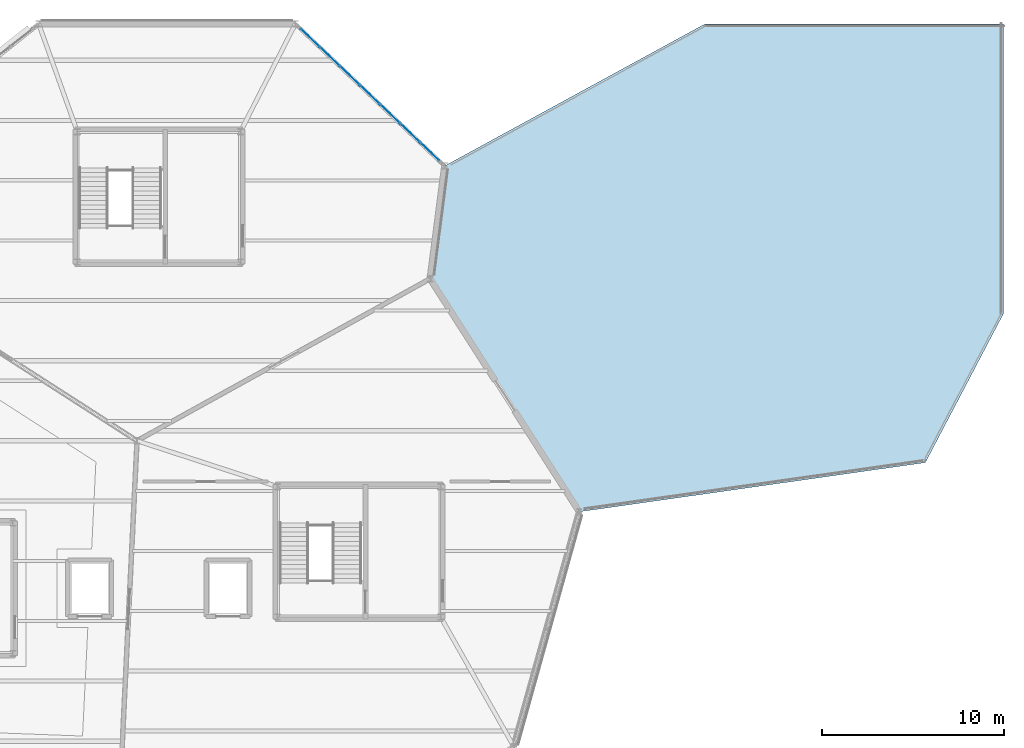
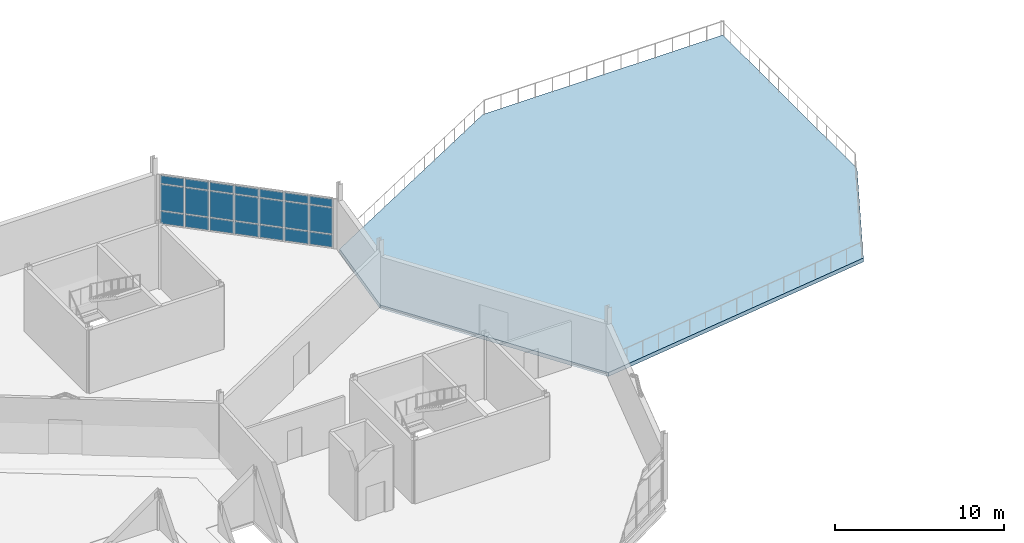
# One storey, part 55 of 76: 21 plates, 1 slab, 1 element without a shape of its own.
"""IFC4 building model written with IfcOpenShell, lengths in metres."""

from ifc_helpers import new_model, si_unit, direction, frame, origin, origin_2d, place, context, subcontext, project, spatial, polyline, rectangle, outline, extrude, material, layer, layer_set, type_object, element, aggregate, save


model = new_model("IFC4")

# Units and contexts
model_context = context("Model", 3, precision=1e-05, world=origin(), true_north=direction((0.0, 1.0)))
body_context = subcontext(model_context, "Body", "Model", "MODEL_VIEW")
ifc_project = project(units=[si_unit("LENGTHUNIT", "METRE"), si_unit("AREAUNIT", "SQUARE_METRE"), si_unit("VOLUMEUNIT", "CUBIC_METRE"), si_unit("PLANEANGLEUNIT", "RADIAN"), si_unit("MASSUNIT", "GRAM", prefix="KILO")], contexts=[model_context])

# Site, building, storey
site_placement = place(None, origin())
site = spatial("IfcSite", under=ifc_project, at=site_placement, CompositionType="ELEMENT")
building_placement = place(site_placement, origin())
building = spatial("IfcBuilding", under=site, at=building_placement, Name="Tameran Prism Museum", CompositionType="ELEMENT")
storey_placement = place(building_placement, frame((0.0, 0.0, 15.0)))
storey = spatial("IfcBuildingStorey", under=building, at=storey_placement, Name="L03", CompositionType="ELEMENT", Elevation=15.0)

# Curtain wall, plates
ifc_material_1 = material(Name="Anodised Aluminium 6063-T6 and Cyclone Solar Glass", Category="aluminium")
curtain_wall_type = type_object("IfcCurtainWallType", Name="CW-FAC-1062x362", PredefinedType="USERDEFINED", material=ifc_material_1)
curtain_wall_placement = place(storey_placement, origin())
curtain_wall = element("IfcCurtainWall", 1, at=curtain_wall_placement, inside=storey, type_object=curtain_wall_type, Name="Unitised Curtain Wall CW-132", ObjectType="UNITISED CURTAIN WALL", PredefinedType="USERDEFINED")
ifc_material_2 = material(Name="Cyclone Laminated Solar Glass", Category="glass")
ifc_layer_1 = layer(ifc_material_2, 0.031982421875)
ifc_layer_set_1 = layer_set([ifc_layer_1])
plate_type = type_object("IfcPlateType", Name="CW-PNL-G32", PredefinedType="CURTAIN_PANEL", material=ifc_layer_set_1)
plate_1_placement = place(storey_placement, frame((128.316162109375, 111.22412109375, 0.070068359375), z_axis=(0.0, 0.0, 1.0), x_axis=(0.724500698692, -0.689274065662, 0.0)))
plate_1 = element("IfcPlate", 2, at=plate_1_placement, type_object=plate_type, Name="CW-132 panel 1.1", PredefinedType="CURTAIN_PANEL", context=body_context, shape_type="SweptSolid", body=[
    extrude(rectangle(XDim=1.41162109375, YDim=0.031982421875, at=origin_2d()), origin(), (0.0, 0.0, 1.0), 0.89501953125),
])
plate_2_placement = place(storey_placement, frame((128.316162109375, 111.22412109375, 1.034912109375), z_axis=(0.0, 0.0, 1.0), x_axis=(0.724500698692, -0.689274065662, 0.0)))
plate_2 = element("IfcPlate", 3, at=plate_2_placement, type_object=plate_type, Name="CW-132 panel 1.2", PredefinedType="CURTAIN_PANEL", context=body_context, shape_type="SweptSolid", body=[
    extrude(rectangle(XDim=1.41162109375, YDim=0.031982421875, at=origin_2d()), origin(), (0.0, 0.0, 1.0), 1.8701171875),
])
plate_3_placement = place(storey_placement, frame((128.316162109375, 111.22412109375, 2.97509765625), z_axis=(0.0, 0.0, 1.0), x_axis=(0.724500698692, -0.689274065662, 0.0)))
plate_3 = element("IfcPlate", 4, at=plate_3_placement, type_object=plate_type, Name="CW-132 panel 1.3", PredefinedType="CURTAIN_PANEL", context=body_context, shape_type="SweptSolid", body=[
    extrude(rectangle(XDim=1.41162109375, YDim=0.031982421875, at=origin_2d()), origin(), (0.0, 0.0, 1.0), 0.574951171875),
])
plate_4_placement = place(storey_placement, frame((129.40234375, 110.19091796875, 0.070068359375), z_axis=(0.0, 0.0, 1.0), x_axis=(0.724500698692, -0.689274065662, 0.0)))
plate_4 = element("IfcPlate", 5, at=plate_4_placement, type_object=plate_type, Name="CW-132 panel 2.1", PredefinedType="CURTAIN_PANEL", context=body_context, shape_type="SweptSolid", body=[
    extrude(rectangle(XDim=1.44677734375, YDim=0.031982421875, at=origin_2d()), origin(), (0.0, 0.0, 1.0), 0.89501953125),
])
plate_5_placement = place(storey_placement, frame((129.40234375, 110.19091796875, 1.034912109375), z_axis=(0.0, 0.0, 1.0), x_axis=(0.724500698692, -0.689274065662, 0.0)))
plate_5 = element("IfcPlate", 6, at=plate_5_placement, type_object=plate_type, Name="CW-132 panel 2.2", PredefinedType="CURTAIN_PANEL", context=body_context, shape_type="SweptSolid", body=[
    extrude(rectangle(XDim=1.44677734375, YDim=0.031982421875, at=origin_2d()), origin(), (0.0, 0.0, 1.0), 1.8701171875),
])
plate_6_placement = place(storey_placement, frame((129.40234375, 110.19091796875, 2.97509765625), z_axis=(0.0, 0.0, 1.0), x_axis=(0.724500698692, -0.689274065662, 0.0)))
plate_6 = element("IfcPlate", 7, at=plate_6_placement, type_object=plate_type, Name="CW-132 panel 2.3", PredefinedType="CURTAIN_PANEL", context=body_context, shape_type="SweptSolid", body=[
    extrude(rectangle(XDim=1.44677734375, YDim=0.031982421875, at=origin_2d()), origin(), (0.0, 0.0, 1.0), 0.574951171875),
])
plate_7_placement = place(storey_placement, frame((130.501220703125, 109.1455078125, 0.070068359375), z_axis=(0.0, 0.0, 1.0), x_axis=(0.724500698692, -0.689274065662, 0.0)))
plate_7 = element("IfcPlate", 8, at=plate_7_placement, type_object=plate_type, Name="CW-132 panel 3.1", PredefinedType="CURTAIN_PANEL", context=body_context, shape_type="SweptSolid", body=[
    extrude(rectangle(XDim=1.44677734375, YDim=0.031982421875, at=origin_2d()), origin(), (0.0, 0.0, 1.0), 0.89501953125),
])
plate_8_placement = place(storey_placement, frame((130.501220703125, 109.1455078125, 1.034912109375), z_axis=(0.0, 0.0, 1.0), x_axis=(0.724500698692, -0.689274065662, 0.0)))
plate_8 = element("IfcPlate", 9, at=plate_8_placement, type_object=plate_type, Name="CW-132 panel 3.2", PredefinedType="CURTAIN_PANEL", context=body_context, shape_type="SweptSolid", body=[
    extrude(rectangle(XDim=1.44677734375, YDim=0.031982421875, at=origin_2d()), origin(), (0.0, 0.0, 1.0), 1.8701171875),
])
plate_9_placement = place(storey_placement, frame((130.501220703125, 109.1455078125, 2.97509765625), z_axis=(0.0, 0.0, 1.0), x_axis=(0.724500698692, -0.689274065662, 0.0)))
plate_9 = element("IfcPlate", 10, at=plate_9_placement, type_object=plate_type, Name="CW-132 panel 3.3", PredefinedType="CURTAIN_PANEL", context=body_context, shape_type="SweptSolid", body=[
    extrude(rectangle(XDim=1.44677734375, YDim=0.031982421875, at=origin_2d()), origin(), (0.0, 0.0, 1.0), 0.574951171875),
])
plate_10_placement = place(storey_placement, frame((131.60009765625, 108.10009765625, 0.070068359375), z_axis=(0.0, 0.0, 1.0), x_axis=(0.724500698692, -0.689274065662, 0.0)))
plate_10 = element("IfcPlate", 11, at=plate_10_placement, type_object=plate_type, Name="CW-132 panel 4.1", PredefinedType="CURTAIN_PANEL", context=body_context, shape_type="SweptSolid", body=[
    extrude(rectangle(XDim=1.44677734375, YDim=0.031982421875, at=origin_2d()), origin(), (0.0, 0.0, 1.0), 0.89501953125),
])
plate_11_placement = place(storey_placement, frame((131.60009765625, 108.10009765625, 1.034912109375), z_axis=(0.0, 0.0, 1.0), x_axis=(0.724500698692, -0.689274065662, 0.0)))
plate_11 = element("IfcPlate", 12, at=plate_11_placement, type_object=plate_type, Name="CW-132 panel 4.2", PredefinedType="CURTAIN_PANEL", context=body_context, shape_type="SweptSolid", body=[
    extrude(rectangle(XDim=1.44677734375, YDim=0.031982421875, at=origin_2d()), origin(), (0.0, 0.0, 1.0), 1.8701171875),
])
plate_12_placement = place(storey_placement, frame((131.60009765625, 108.10009765625, 2.97509765625), z_axis=(0.0, 0.0, 1.0), x_axis=(0.724500698692, -0.689274065662, 0.0)))
plate_12 = element("IfcPlate", 13, at=plate_12_placement, type_object=plate_type, Name="CW-132 panel 4.3", PredefinedType="CURTAIN_PANEL", context=body_context, shape_type="SweptSolid", body=[
    extrude(rectangle(XDim=1.44677734375, YDim=0.031982421875, at=origin_2d()), origin(), (0.0, 0.0, 1.0), 0.574951171875),
])
plate_13_placement = place(storey_placement, frame((132.698974609375, 107.0546875, 0.070068359375), z_axis=(0.0, 0.0, 1.0), x_axis=(0.724500698692, -0.689274065662, 0.0)))
plate_13 = element("IfcPlate", 14, at=plate_13_placement, type_object=plate_type, Name="CW-132 panel 5.1", PredefinedType="CURTAIN_PANEL", context=body_context, shape_type="SweptSolid", body=[
    extrude(rectangle(XDim=1.44677734375, YDim=0.031982421875, at=origin_2d()), origin(), (0.0, 0.0, 1.0), 0.89501953125),
])
plate_14_placement = place(storey_placement, frame((132.698974609375, 107.0546875, 1.034912109375), z_axis=(0.0, 0.0, 1.0), x_axis=(0.724500698692, -0.689274065662, 0.0)))
plate_14 = element("IfcPlate", 15, at=plate_14_placement, type_object=plate_type, Name="CW-132 panel 5.2", PredefinedType="CURTAIN_PANEL", context=body_context, shape_type="SweptSolid", body=[
    extrude(rectangle(XDim=1.44677734375, YDim=0.031982421875, at=origin_2d()), origin(), (0.0, 0.0, 1.0), 1.8701171875),
])
plate_15_placement = place(storey_placement, frame((132.698974609375, 107.0546875, 2.97509765625), z_axis=(0.0, 0.0, 1.0), x_axis=(0.724500698692, -0.689274065662, 0.0)))
plate_15 = element("IfcPlate", 16, at=plate_15_placement, type_object=plate_type, Name="CW-132 panel 5.3", PredefinedType="CURTAIN_PANEL", context=body_context, shape_type="SweptSolid", body=[
    extrude(rectangle(XDim=1.44677734375, YDim=0.031982421875, at=origin_2d()), origin(), (0.0, 0.0, 1.0), 0.574951171875),
])
plate_16_placement = place(storey_placement, frame((133.797607421875, 106.009033203125, 0.070068359375), z_axis=(0.0, 0.0, 1.0), x_axis=(0.724500698692, -0.689274065662, 0.0)))
plate_16 = element("IfcPlate", 17, at=plate_16_placement, type_object=plate_type, Name="CW-132 panel 6.1", PredefinedType="CURTAIN_PANEL", context=body_context, shape_type="SweptSolid", body=[
    extrude(rectangle(XDim=1.44677734375, YDim=0.031982421875, at=origin_2d()), origin(), (0.0, 0.0, 1.0), 0.89501953125),
])
plate_17_placement = place(storey_placement, frame((133.797607421875, 106.009033203125, 1.034912109375), z_axis=(0.0, 0.0, 1.0), x_axis=(0.724500698692, -0.689274065662, 0.0)))
plate_17 = element("IfcPlate", 18, at=plate_17_placement, type_object=plate_type, Name="CW-132 panel 6.2", PredefinedType="CURTAIN_PANEL", context=body_context, shape_type="SweptSolid", body=[
    extrude(rectangle(XDim=1.44677734375, YDim=0.031982421875, at=origin_2d()), origin(), (0.0, 0.0, 1.0), 1.8701171875),
])
plate_18_placement = place(storey_placement, frame((133.797607421875, 106.009033203125, 2.97509765625), z_axis=(0.0, 0.0, 1.0), x_axis=(0.724500698692, -0.689274065662, 0.0)))
plate_18 = element("IfcPlate", 19, at=plate_18_placement, type_object=plate_type, Name="CW-132 panel 6.3", PredefinedType="CURTAIN_PANEL", context=body_context, shape_type="SweptSolid", body=[
    extrude(rectangle(XDim=1.44677734375, YDim=0.031982421875, at=origin_2d()), origin(), (0.0, 0.0, 1.0), 0.574951171875),
])
plate_19_placement = place(storey_placement, frame((134.8837890625, 104.975830078125, 0.070068359375), z_axis=(0.0, 0.0, 1.0), x_axis=(0.724500698692, -0.689274065662, 0.0)))
plate_19 = element("IfcPlate", 20, at=plate_19_placement, type_object=plate_type, Name="CW-132 panel 7.1", PredefinedType="CURTAIN_PANEL", context=body_context, shape_type="SweptSolid", body=[
    extrude(rectangle(XDim=1.41162109375, YDim=0.031982421875, at=origin_2d()), origin(), (0.0, 0.0, 1.0), 0.89501953125),
])
plate_20_placement = place(storey_placement, frame((134.8837890625, 104.975830078125, 1.034912109375), z_axis=(0.0, 0.0, 1.0), x_axis=(0.724500698692, -0.689274065662, 0.0)))
plate_20 = element("IfcPlate", 21, at=plate_20_placement, type_object=plate_type, Name="CW-132 panel 7.2", PredefinedType="CURTAIN_PANEL", context=body_context, shape_type="SweptSolid", body=[
    extrude(rectangle(XDim=1.41162109375, YDim=0.031982421875, at=origin_2d()), origin(), (0.0, 0.0, 1.0), 1.8701171875),
])
plate_21_placement = place(storey_placement, frame((134.8837890625, 104.975830078125, 2.97509765625), z_axis=(0.0, 0.0, 1.0), x_axis=(0.724500698692, -0.689274065662, 0.0)))
plate_21 = element("IfcPlate", 22, at=plate_21_placement, type_object=plate_type, Name="CW-132 panel 7.3", PredefinedType="CURTAIN_PANEL", context=body_context, shape_type="SweptSolid", body=[
    extrude(rectangle(XDim=1.41162109375, YDim=0.031982421875, at=origin_2d()), origin(), (0.0, 0.0, 1.0), 0.574951171875),
])
aggregate(curtain_wall, [plate_1, plate_2, plate_3, plate_4, plate_5, plate_6, plate_7, plate_8, plate_9, plate_10, plate_11, plate_12, plate_13, plate_14, plate_15, plate_16, plate_17, plate_18, plate_19, plate_20, plate_21])

# Slab
ifc_material_3 = material(Name="Concrete N40 (40 MPa)", Category="concrete")
ifc_layer_2 = layer(ifc_material_3, 0.280029296875)
ifc_layer_set_2 = layer_set([ifc_layer_2])
slab_type = type_object("IfcSlabType", Name="SL-TER-280", PredefinedType="USERDEFINED", material=ifc_layer_set_2)
slab_placement = place(storey_placement, frame((0.0, 0.0, -0.280029296875)))
element("IfcSlab", 23, at=slab_placement, inside=storey, type_object=slab_type, Name="Planted Roof Terrace TR-P04-L03", ObjectType="TERRACE", PredefinedType="USERDEFINED", context=body_context, shape_type="SweptSolid", body=[
    extrude(outline(polyline([(134.89990234375, 98.0), (143.10009765625, 85.199951171875), (162.10009765625, 87.89990234375), (166.39990234375, 96.10009765625), (166.39990234375, 112.0), (150.0, 112.0), (135.699951171875, 104.199951171875), (134.89990234375, 98.0)])), origin(), (0.0, 0.0, 1.0), 0.280029296875),
])

save(model, "model.ifc")
